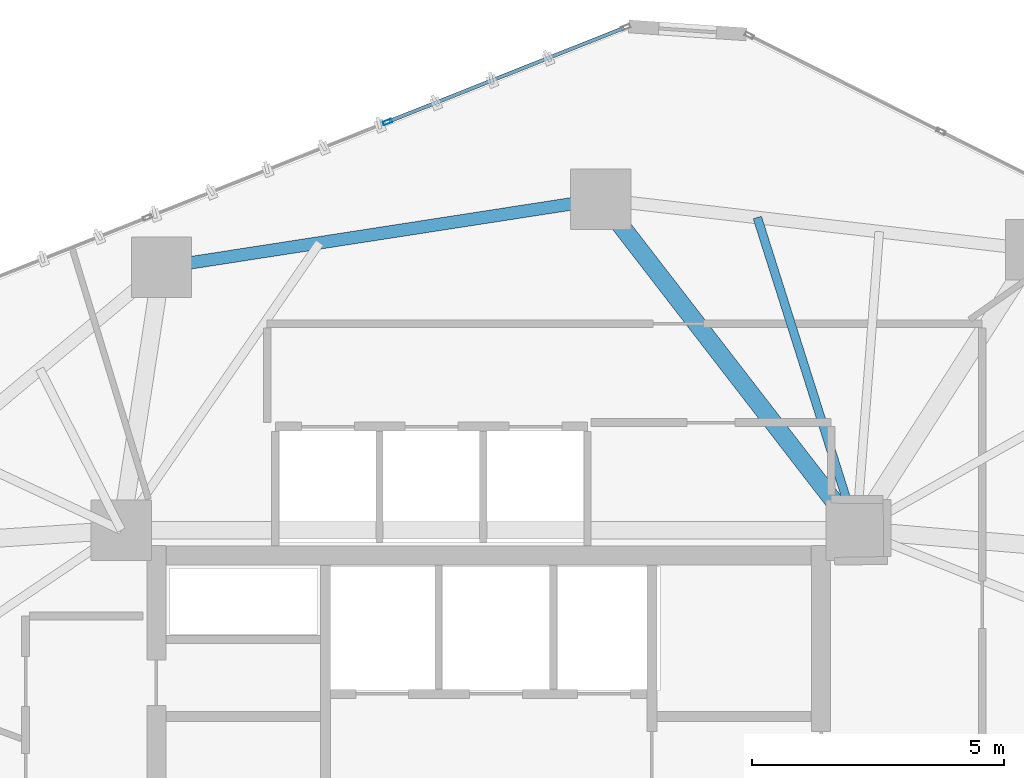
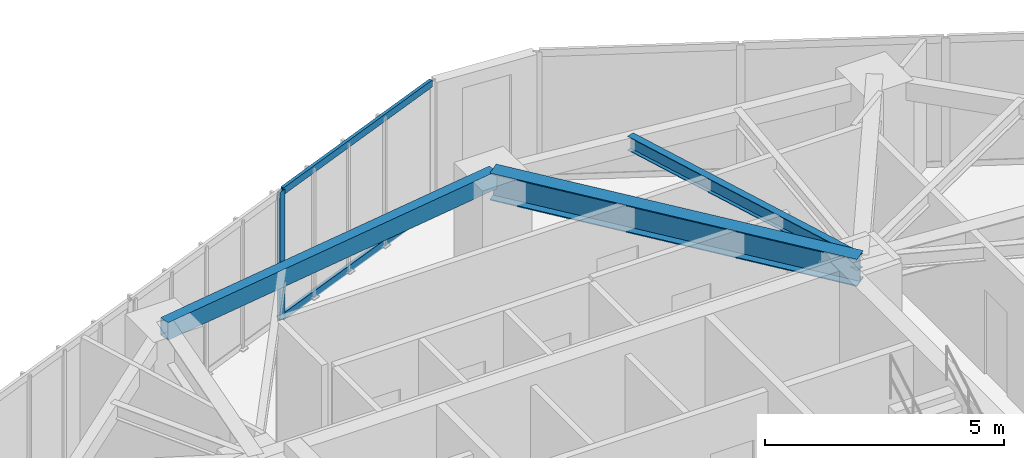
# One storey, part 13 of 22: 3 beams, 3 members, 1 element without a shape of its own.
"""IFC4 building model written with IfcOpenShell, lengths in metres."""

from ifc_helpers import new_model, si_unit, direction, frame, origin, origin_2d, place, context, subcontext, project, spatial, hollow_rectangle, i_section, extrude, source, transform, mapped, material, layer, layer_set, material_profile, profile_set, type_object, type_shapes, element, aggregate, save


model = new_model("IFC4")

# Units and contexts
model_context = context("Model", 3, precision=1e-05, world=origin(), true_north=direction((0.0, 1.0)))
body_context = subcontext(model_context, "Body", "Model", "MODEL_VIEW")
ifc_project = project(units=[si_unit("LENGTHUNIT", "METRE"), si_unit("AREAUNIT", "SQUARE_METRE"), si_unit("VOLUMEUNIT", "CUBIC_METRE"), si_unit("PLANEANGLEUNIT", "RADIAN"), si_unit("MASSUNIT", "GRAM", prefix="KILO")], contexts=[model_context])

# Site, building, storey
site_placement = place(None, origin())
site = spatial("IfcSite", under=ifc_project, at=site_placement, CompositionType="ELEMENT")
building_placement = place(site_placement, origin())
building = spatial("IfcBuilding", under=site, at=building_placement, Name="Talar Marvaseh", CompositionType="ELEMENT")
storey_placement = place(building_placement, frame((0.0, 0.0, 154.199951171875)))
storey = spatial("IfcBuildingStorey", under=building, at=storey_placement, Name="L40", CompositionType="ELEMENT", Elevation=154.199951171875)

# Beams
ifc_material_1 = material(Name="Steel S355", Category="steel")
ifc_material_profile_1 = material_profile(ifc_material_1, hollow_rectangle(XDim=0.25, YDim=0.449951171875, WallThickness=0.01611328125, at=origin_2d()), Name="RHS450x250x16")
ifc_profile_set_1 = profile_set([ifc_material_profile_1], Name="Steel S355")
beam_type_1 = type_object("IfcBeamType", Name="Zone 2 Perimeter Spandrel Beam RHS450x250x16", PredefinedType="SPANDREL", material=ifc_profile_set_1)
beam_1_placement = place(storey_placement, frame((19.5009765625, 42.123046875, 3.054931640625), z_axis=(0.988248879948, 0.152853365295, 0.0), x_axis=(-0.152853365295, 0.988248879948, 0.0)))
element("IfcBeam", 1, at=beam_1_placement, inside=storey, type_object=beam_type_1, Name="L40 Zone 2 Perimeter Spandrel Beam RHS450x250x16", PredefinedType="SPANDREL", context=body_context, shape_type="SweptSolid", body=[
    extrude(hollow_rectangle(XDim=0.25, YDim=0.449951171875, WallThickness=0.01611328125, at=origin_2d()), origin(), (0.0, 0.0, 1.0), 8.82470703125),
])
ifc_material_profile_2 = material_profile(ifc_material_1, i_section(OverallWidth=0.35498046875, OverallDepth=0.695068359375, WebThickness=0.015380859375, FlangeThickness=0.02490234375, at=origin_2d()), Name="W690x217")
ifc_profile_set_2 = profile_set([ifc_material_profile_2], Name="Steel S355")
beam_type_2 = type_object("IfcBeamType", Name="Zone 2 Radial Floor Girder W690x217", PredefinedType="BEAM", material=ifc_profile_set_2)
beam_2_placement = place(storey_placement, frame((28.221923828125, 43.471923828125, 2.9326171875), z_axis=(0.611428258763, -0.791299870079, 0.0), x_axis=(0.791299870079, 0.611428258763, 0.0)))
element("IfcBeam", 2, at=beam_2_placement, inside=storey, type_object=beam_type_2, Name="L40 Zone 2 Radial Floor Girder W690x217", PredefinedType="BEAM", context=body_context, shape_type="SweptSolid", body=[
    extrude(i_section(OverallWidth=0.35498046875, OverallDepth=0.695068359375, WebThickness=0.015380859375, FlangeThickness=0.02490234375, at=origin_2d()), origin(), (0.0, 0.0, 1.0), 8.305419921875),
])
ifc_material_profile_3 = material_profile(ifc_material_1, i_section(OverallWidth=0.172119140625, OverallDepth=0.35791015625, WebThickness=0.0078125, FlangeThickness=0.01318359375, at=origin_2d()), Name="W360x57")
ifc_profile_set_3 = profile_set([ifc_material_profile_3], Name="Steel S355")
beam_type_3 = type_object("IfcBeamType", Name="Zone 2 Secondary Floor Joist W360x57", PredefinedType="JOIST", material=ifc_profile_set_3)
beam_3_placement = place(storey_placement, frame((31.333740234375, 43.111572265625, 3.10107421875), z_axis=(0.301791238044, -0.953374033966, 0.0), x_axis=(0.953374033966, 0.301791238044, 0.0)))
element("IfcBeam", 3, at=beam_3_placement, inside=storey, type_object=beam_type_3, Name="L40 Zone 2 Secondary Floor Joist W360x57", PredefinedType="JOIST", context=body_context, shape_type="SweptSolid", body=[
    extrude(i_section(OverallWidth=0.172119140625, OverallDepth=0.35791015625, WebThickness=0.0078125, FlangeThickness=0.01318359375, at=origin_2d()), origin(), (0.0, 0.0, 1.0), 6.515380859375),
])

# Curtain wall, members
ifc_material_2 = material(Name="Architectural Aluminium", Category="aluminium")
ifc_layer = layer(ifc_material_2, 0.199951171875)
ifc_layer_set = layer_set([ifc_layer], Name="Architectural Aluminium")
curtain_wall_type = type_object("IfcCurtainWallType", Name="Unitised Acoustic Library Curtain Wall Z2", PredefinedType="NOTDEFINED", material=ifc_layer_set)
curtain_wall_placement = place(storey_placement, origin())
curtain_wall = element("IfcCurtainWall", 4, at=curtain_wall_placement, inside=storey, type_object=curtain_wall_type, Name="L40 Unitised Acoustic Library Curtain Wall Z2", PredefinedType="NOTDEFINED")
ifc_material_profile_4 = material_profile(ifc_material_2, hollow_rectangle(XDim=0.074951171875, YDim=0.179931640625, WallThickness=0.0048828125, at=origin_2d()), Name="RHS180x75x5")
ifc_profile_set_4 = profile_set([ifc_material_profile_4], Name="Architectural Aluminium")
member_type_1 = type_object("IfcMemberType", Name="Unitised Curtain Wall Transom RHS180x75x5", PredefinedType="USERDEFINED", material=ifc_profile_set_4)
shared_shape_1 = source(origin(), body_context, "Body", "SweptSolid", [
    extrude(hollow_rectangle(XDim=0.074951171875, YDim=0.179931640625, WallThickness=0.0048828125, at=origin_2d()), origin(), (0.0, 0.0, 1.0), 5.017578125),
])
type_shapes(member_type_1, [shared_shape_1])
member_1_placement = place(storey_placement, frame((24.02294921875, 45.021484375, 0.03759765625), z_axis=(0.929249823575, 0.36945197981, 0.0), x_axis=(-0.36945197981, 0.929249823575, 0.0)))
member_1 = element("IfcMember", 5, at=member_1_placement, type_object=member_type_1, Name="CW-Z2 transom 3.1", ObjectType="TRANSOM", PredefinedType="USERDEFINED", context=body_context, shape_type="MappedRepresentation", body=[
    mapped(shared_shape_1, transform((0.0, 0.0, 0.0), x_axis=(1.0, 0.0, 0.0), y_axis=(0.0, 1.0, 0.0), z_axis=(0.0, 0.0, 1.0), scale=1.0)),
])
member_2_placement = place(storey_placement, frame((24.02294921875, 45.021484375, 3.242431640625), z_axis=(0.929249823575, 0.36945197981, 0.0), x_axis=(-0.36945197981, 0.929249823575, 0.0)))
member_2 = element("IfcMember", 6, at=member_2_placement, type_object=member_type_1, Name="CW-Z2 transom 3.2", ObjectType="TRANSOM", PredefinedType="USERDEFINED", context=body_context, shape_type="MappedRepresentation", body=[
    mapped(shared_shape_1, transform((0.0, 0.0, 0.0), x_axis=(1.0, 0.0, 0.0), y_axis=(0.0, 1.0, 0.0), z_axis=(0.0, 0.0, 1.0), scale=1.0)),
])
ifc_material_profile_5 = material_profile(ifc_material_2, hollow_rectangle(XDim=0.074951171875, YDim=0.179931640625, WallThickness=0.0048828125, at=origin_2d()), Name="RHS180x75x5")
ifc_profile_set_5 = profile_set([ifc_material_profile_5], Name="Architectural Aluminium")
member_type_2 = type_object("IfcMemberType", Name="Unitised Curtain Wall Standard Mullion RHS180x75x5", PredefinedType="MULLION", material=ifc_profile_set_5)
shared_shape_2 = source(origin(), body_context, "Body", "SweptSolid", [
    extrude(hollow_rectangle(XDim=0.074951171875, YDim=0.179931640625, WallThickness=0.0048828125, at=origin_2d()), origin(), (0.0, 0.0, 1.0), 3.280029296875),
])
type_shapes(member_type_2, [shared_shape_2])
member_3_placement = place(storey_placement, frame((23.988037109375, 45.007568359375, 0.0), z_axis=(0.0, 0.0, 1.0), x_axis=(-0.369458491342, 0.929247234688, 0.0)))
member_3 = element("IfcMember", 7, at=member_3_placement, type_object=member_type_2, Name="CW-Z2 mullion 3", PredefinedType="MULLION", context=body_context, shape_type="MappedRepresentation", body=[
    mapped(shared_shape_2, transform((0.0, 0.0, 0.0), x_axis=(1.0, 0.0, 0.0), y_axis=(0.0, 1.0, 0.0), z_axis=(0.0, 0.0, 1.0), scale=1.0)),
])
aggregate(curtain_wall, [member_3, member_1, member_2])

save(model, "model.ifc")
